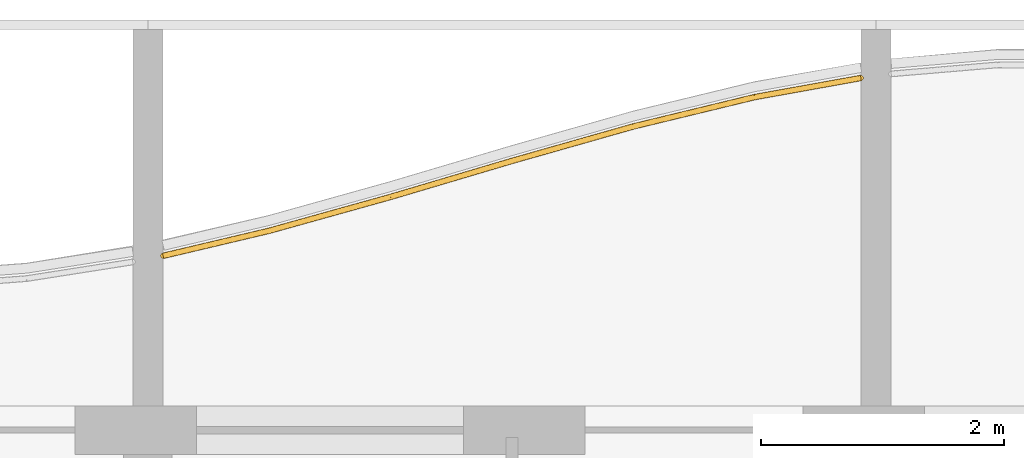
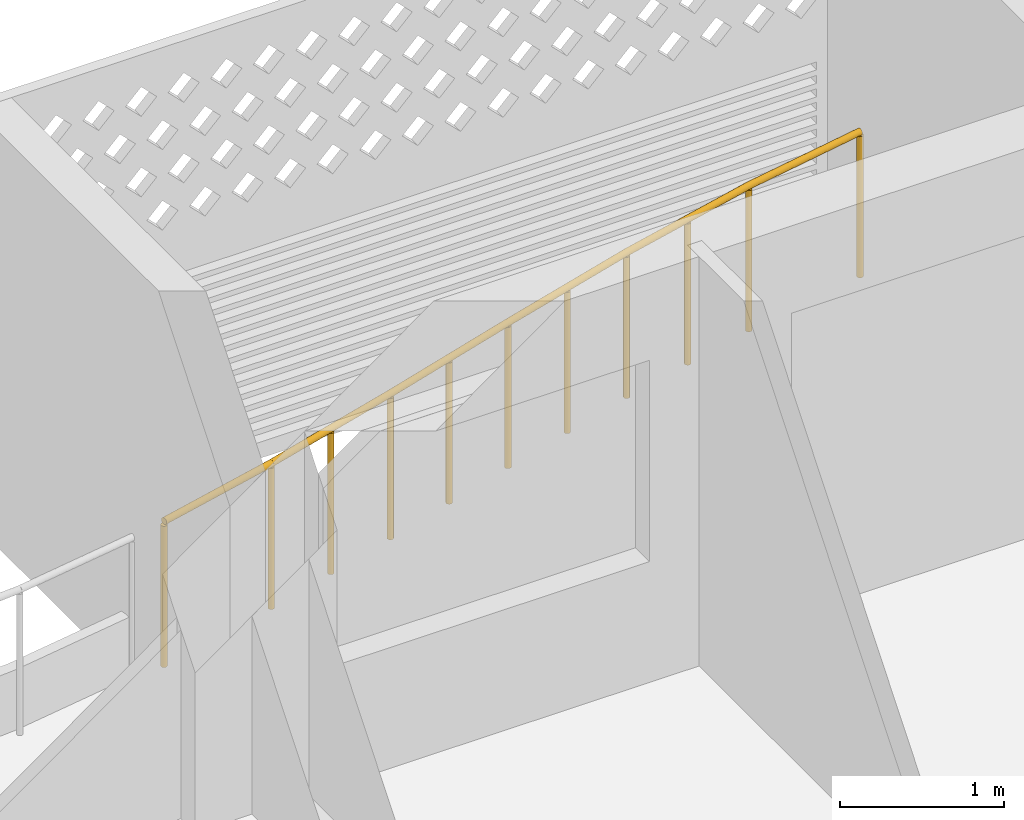
# One storey, part 21 of 39: 1 railing.
"""IFC4 building model written with IfcOpenShell, lengths in metres."""

import ifcopenshell
import ifcopenshell.guid

model = None  # the IFC model being written
_history = None  # IfcOwnerHistory: only IFC2X3 demands one
_inside = {}  # id of a spatial element -> (the spatial element, [elements in it])
_under = {}  # id of a project, library or spatial element -> (it, [spatial elements below it])
_declared = {}  # id of a project -> (the project, [libraries it declares])
_typed = {}  # id of a type object -> (the type object, [elements of that type])
_made_of = {}  # id of a material, layer set ... -> (it, [elements and type objects made of it])


def new_model(schema):
    """Start an empty IFC model of exactly this schema.

    Asked for "IFC4X3", IfcOpenShell would pick the latest addendum, in which some entities
    have other attributes; the version numbers below select the first issue.
    IFC2X3 requires an IfcOwnerHistory on every rooted entity: one is made here for all.
    """
    global model, _history
    if schema == "IFC4X3":
        model = ifcopenshell.file(schema_version=(4, 3, 0, 0))
    else:
        model = ifcopenshell.file(schema=schema)
    _inside.clear()
    _under.clear()
    _declared.clear()
    _typed.clear()
    _made_of.clear()
    _history = None
    if model.schema == "IFC2X3":
        org = make("IfcOrganization", Name="unknown")
        user = make(
            "IfcPersonAndOrganization",
            ThePerson=make("IfcPerson", FamilyName="unknown"),
            TheOrganization=org,
        )
        app = make(
            "IfcApplication",
            ApplicationDeveloper=org,
            Version="unknown",
            ApplicationFullName="unknown",
            ApplicationIdentifier="unknown",
        )
        _history = make(
            "IfcOwnerHistory",
            OwningUser=user,
            OwningApplication=app,
            ChangeAction="ADDED",
            CreationDate=0,
        )
    return model


def make(cls, **values):
    """One entity of the class cls with the attributes given. An attribute that is None is left unset."""
    return model.create_entity(
        cls, **{name: value for name, value in values.items() if value is not None}
    )


def rooted(cls, **values):
    """An entity with a GlobalId (a new one), such as an element, a storey or a relation."""
    return make(cls, GlobalId=ifcopenshell.guid.new(), OwnerHistory=_history, **values)


def si_unit(unit_type, name, prefix=None):
    """IfcSIUnit, for example si_unit("LENGTHUNIT", "METRE", prefix="MILLI")."""
    return make("IfcSIUnit", UnitType=unit_type, Prefix=prefix, Name=name)


def assignment(units):
    """IfcUnitAssignment: the units of a project."""
    return None if units is None else make("IfcUnitAssignment", Units=units)


def point(xyz):
    """IfcCartesianPoint."""
    return None if xyz is None else make("IfcCartesianPoint", Coordinates=xyz)


def direction(xyz):
    """IfcDirection."""
    return None if xyz is None else make("IfcDirection", DirectionRatios=xyz)


def frame(location, z_axis=None, x_axis=None):
    """IfcAxis2Placement3D, a coordinate frame: its origin and axes. An axis left out is left unset."""
    return make(
        "IfcAxis2Placement3D",
        Location=point(location),
        Axis=direction(z_axis),
        RefDirection=direction(x_axis),
    )


def frame_2d(location, x_axis=None):
    """IfcAxis2Placement2D, a coordinate frame in the plane: its origin and x axis."""
    return make(
        "IfcAxis2Placement2D", Location=point(location), RefDirection=direction(x_axis)
    )


def origin():
    """The frame at (0, 0, 0) with its axes left unset."""
    return frame((0.0, 0.0, 0.0))


def origin_2d():
    """The frame at (0, 0) in the plane with its x axis left unset."""
    return frame_2d((0.0, 0.0))


def place(relative_to, where):
    """IfcLocalPlacement: puts the frame where relative to a parent placement (None: the world)."""
    return make(
        "IfcLocalPlacement", PlacementRelTo=relative_to, RelativePlacement=where
    )


def context(
    kind, dimensions, precision=None, world=None, true_north=None, identifier=None
):
    """IfcGeometricRepresentationContext, for example the 3D "Model" context."""
    return make(
        "IfcGeometricRepresentationContext",
        ContextIdentifier=identifier,
        ContextType=kind,
        CoordinateSpaceDimension=dimensions,
        Precision=precision,
        WorldCoordinateSystem=world,
        TrueNorth=true_north,
    )


def subcontext(parent, identifier, kind, view, scale=None):
    """IfcGeometricRepresentationSubContext, for example "Body" below "Model"."""
    return make(
        "IfcGeometricRepresentationSubContext",
        ContextIdentifier=identifier,
        ContextType=kind,
        ParentContext=parent,
        TargetScale=scale,
        TargetView=view,
    )


def project(units=None, contexts=None):
    """IfcProject with its units and contexts."""
    return rooted(
        "IfcProject",
        Name="project",
        RepresentationContexts=contexts,
        UnitsInContext=assignment(units),
    )


def spatial(cls, under=None, at=None, **own):
    """A site, building, storey or space (cls), placed at a placement, below another one or the project."""
    s = rooted(cls, ObjectPlacement=at, **own)
    if under is not None:
        _under.setdefault(under.id(), (under, []))[1].append(s)
    return s


def profile(cls, at=None, kind="AREA", **sizes):
    """A parametric profile (cls). Its sizes go by their IFC names, for example OverallWidth=200.0."""
    return make(cls, ProfileType=kind, Position=at, **sizes)


def circle(**sizes):
    """IfcCircleProfileDef."""
    return profile("IfcCircleProfileDef", **sizes)


def extrude(swept, where, along, depth):
    """IfcExtrudedAreaSolid: the profile swept, set in the frame where, extruded along a direction by depth."""
    return make(
        "IfcExtrudedAreaSolid",
        SweptArea=swept,
        Position=where,
        ExtrudedDirection=direction(along),
        Depth=depth,
    )


def shape(context_of_items, identifier, shape_type, items):
    """IfcShapeRepresentation: the items that make up one representation, for example the "Body"."""
    return make(
        "IfcShapeRepresentation",
        ContextOfItems=context_of_items,
        RepresentationIdentifier=identifier,
        RepresentationType=shape_type,
        Items=items,
    )


def material(Name=None, Category=None):
    """IfcMaterial."""
    return make("IfcMaterial", Name=Name, Category=Category)


def made_of(thing, what):
    """Note that an element or type object is made of a material, layer set ...; save() writes the relation."""
    if what is not None:
        _made_of.setdefault(what.id(), (what, []))[1].append(thing)
    return thing


def type_object(cls, material=None, **own):
    """A type object (cls), such as IfcWallType, which elements share."""
    return made_of(rooted(cls, **own), material)


def element(
    cls,
    number,
    at=None,
    inside=None,
    cuts=None,
    type_object=None,
    material=None,
    context=None,
    identifier="Body",
    shape_type=None,
    held_by="IfcProductDefinitionShape",
    body=None,
    shapes=None,
    **own,
):
    """One element of the class cls, such as IfcWall. Its Tag is "e" and its number.

    at: its placement. inside: the storey or other place that contains it. cuts: it is an
    opening in that element (IfcRelVoidsElement). A single representation is given by context,
    identifier, shape_type and body (its items); several are given by shapes. held_by: the class
    of the entity that holds the representations. save() writes the other relations.
    """
    e = rooted(cls, Tag="e%d" % number, ObjectPlacement=at, **own)
    if body is not None:
        shapes = [shape(context, identifier, shape_type, body)]
    if shapes is not None:
        e.Representation = make(held_by, Representations=shapes)
    if inside is not None:
        _inside.setdefault(inside.id(), (inside, []))[1].append(e)
    if cuts is not None:
        rooted(
            "IfcRelVoidsElement", RelatingBuildingElement=cuts, RelatedOpeningElement=e
        )
    if type_object is not None:
        _typed.setdefault(type_object.id(), (type_object, []))[1].append(e)
    return made_of(e, material)


def aggregate(whole, parts):
    """IfcRelAggregates: a whole, such as a stair, and the parts it consists of."""
    return rooted("IfcRelAggregates", RelatingObject=whole, RelatedObjects=parts)


def save(model, path):
    """Write the relations noted so far, then the file.

    IfcRelAggregates (storeys below a building ...), IfcRelContainedInSpatialStructure (elements
    in a storey), IfcRelDefinesByType, IfcRelAssociatesMaterial and IfcRelDeclares: one each for
    every whole, place, type object, material and project.
    """
    for whole, parts in _under.values():
        aggregate(whole, parts)
    for where, things in _inside.values():
        rooted(
            "IfcRelContainedInSpatialStructure",
            RelatedElements=things,
            RelatingStructure=where,
        )
    for kind, things in _typed.values():
        rooted("IfcRelDefinesByType", RelatedObjects=things, RelatingType=kind)
    for what, things in _made_of.values():
        rooted("IfcRelAssociatesMaterial", RelatedObjects=things, RelatingMaterial=what)
    for by, libraries in _declared.values():
        rooted("IfcRelDeclares", RelatingContext=by, RelatedDefinitions=libraries)
    model.write(path)


model = new_model("IFC4")

# Units and contexts
model_context = context("Model", 3, precision=1e-05, world=origin(), true_north=direction((0.0, 1.0)))
body_context = subcontext(model_context, "Body", "Model", "MODEL_VIEW")
ifc_project = project(units=[si_unit("LENGTHUNIT", "METRE"), si_unit("AREAUNIT", "SQUARE_METRE"), si_unit("VOLUMEUNIT", "CUBIC_METRE"), si_unit("PLANEANGLEUNIT", "RADIAN"), si_unit("MASSUNIT", "GRAM", prefix="KILO")], contexts=[model_context])

# Site, building, storey
site_placement = place(None, origin())
site = spatial("IfcSite", under=ifc_project, at=site_placement, CompositionType="ELEMENT")
building_placement = place(site_placement, origin())
building = spatial("IfcBuilding", under=site, at=building_placement, Name="Poui Terraces", CompositionType="ELEMENT")
storey_placement = place(building_placement, frame((0.0, 0.0, 56.39990234375)))
storey = spatial("IfcBuildingStorey", under=building, at=storey_placement, Name="L15", CompositionType="ELEMENT", Elevation=56.39990234375)

# Railing
ifc_material = material(Name="Painted steel fretwork", Category="steel")
railing_type = type_object("IfcRailingType", Name="BALCONY GUARD 1100", PredefinedType="GUARDRAIL", material=ifc_material)
railing_placement = place(storey_placement, frame((18.125, 46.236572265625, 0.0)))
element("IfcRailing", 1, at=railing_placement, inside=storey, type_object=railing_type, Name="BALCONY GUARD", PredefinedType="GUARDRAIL", context=body_context, shape_type="SweptSolid", body=[
    extrude(circle(Radius=0.02392578125, at=origin_2d()), frame((0.0, 0.0, 1.076171875), z_axis=(0.973192348595, 0.229992723008, 0.0), x_axis=(-0.229992723008, 0.973192348595, 0.0)), (0.0, 0.0, 1.0), 0.899169921875),
    extrude(circle(Radius=0.02392578125, at=origin_2d()), frame((0.875, 0.206787109375, 1.076171875), z_axis=(0.963261408291, 0.268565558659, 0.0), x_axis=(-0.268565558659, 0.963261408291, 0.0)), (0.0, 0.0, 1.0), 1.0380859375),
    extrude(circle(Radius=0.02392578125, at=origin_2d()), frame((1.875, 0.485595703125, 1.076171875), z_axis=(0.958710700624, 0.284383179018, 0.0), x_axis=(-0.284383179018, 0.958710700624, 0.0)), (0.0, 0.0, 1.0), 1.04296875),
    extrude(circle(Radius=0.02392578125, at=origin_2d()), frame((2.875, 0.7822265625, 1.076171875), z_axis=(0.961974635381, 0.273138794177, 0.0), x_axis=(-0.273138794177, 0.961974635381, 0.0)), (0.0, 0.0, 1.0), 1.03955078125),
    extrude(circle(Radius=0.02392578125, at=origin_2d()), frame((3.875, 1.066162109375, 1.076171875), z_axis=(0.97195702449, 0.235158547673, 0.0), x_axis=(-0.235158547673, 0.97195702449, 0.0)), (0.0, 0.0, 1.0), 1.02880859375),
    extrude(circle(Radius=0.02392578125, at=origin_2d()), frame((4.875, 1.30810546875, 1.076171875), z_axis=(0.984189068803, 0.177121079626, 0.0), x_axis=(-0.177121079626, 0.984189068803, 0.0)), (0.0, 0.0, 1.0), 0.88916015625),
    extrude(circle(Radius=0.02099609375, at=origin_2d()), origin(), (0.0, 0.0, 1.0), 1.052001953125),
    extrude(circle(Radius=0.02099609375, at=origin_2d()), frame((0.875, 0.206787109375, 0.0)), (0.0, 0.0, 1.0), 1.052001953125),
    extrude(circle(Radius=0.02099609375, at=origin_2d()), frame((1.375, 0.34619140625, 0.0)), (0.0, 0.0, 1.0), 1.052001953125),
    extrude(circle(Radius=0.02099609375, at=origin_2d()), frame((1.875, 0.485595703125, 0.0)), (0.0, 0.0, 1.0), 1.052001953125),
    extrude(circle(Radius=0.02099609375, at=origin_2d()), frame((2.375, 0.6337890625, 0.0)), (0.0, 0.0, 1.0), 1.052001953125),
    extrude(circle(Radius=0.02099609375, at=origin_2d()), frame((2.875, 0.7822265625, 0.0)), (0.0, 0.0, 1.0), 1.052001953125),
    extrude(circle(Radius=0.02099609375, at=origin_2d()), frame((3.375, 0.92431640625, 0.0)), (0.0, 0.0, 1.0), 1.052001953125),
    extrude(circle(Radius=0.02099609375, at=origin_2d()), frame((3.875, 1.066162109375, 0.0)), (0.0, 0.0, 1.0), 1.052001953125),
    extrude(circle(Radius=0.02099609375, at=origin_2d()), frame((4.375, 1.18701171875, 0.0)), (0.0, 0.0, 1.0), 1.052001953125),
    extrude(circle(Radius=0.02099609375, at=origin_2d()), frame((4.875, 1.30810546875, 0.0)), (0.0, 0.0, 1.0), 1.052001953125),
    extrude(circle(Radius=0.02099609375, at=origin_2d()), frame((5.75, 1.465576171875, 0.0)), (0.0, 0.0, 1.0), 1.052001953125),
])

save(model, "model.ifc")
